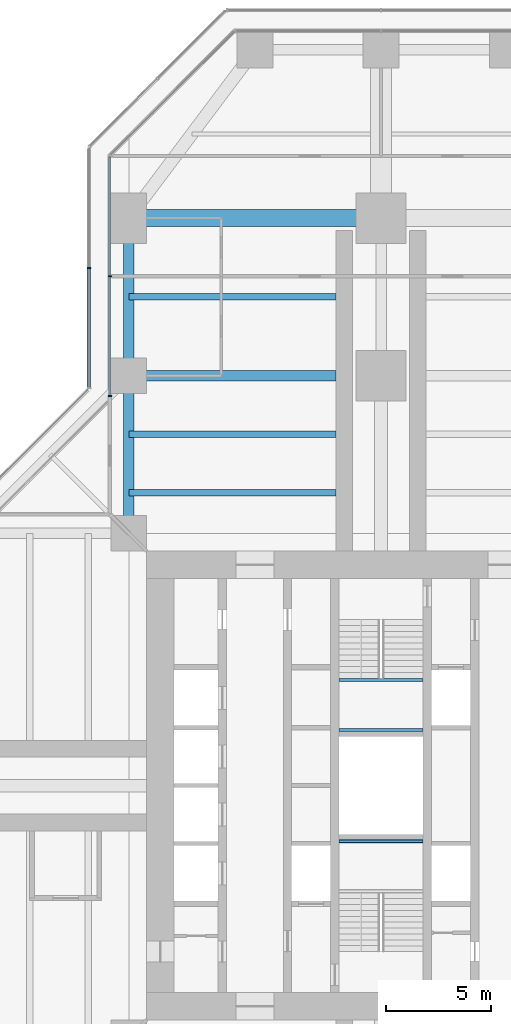
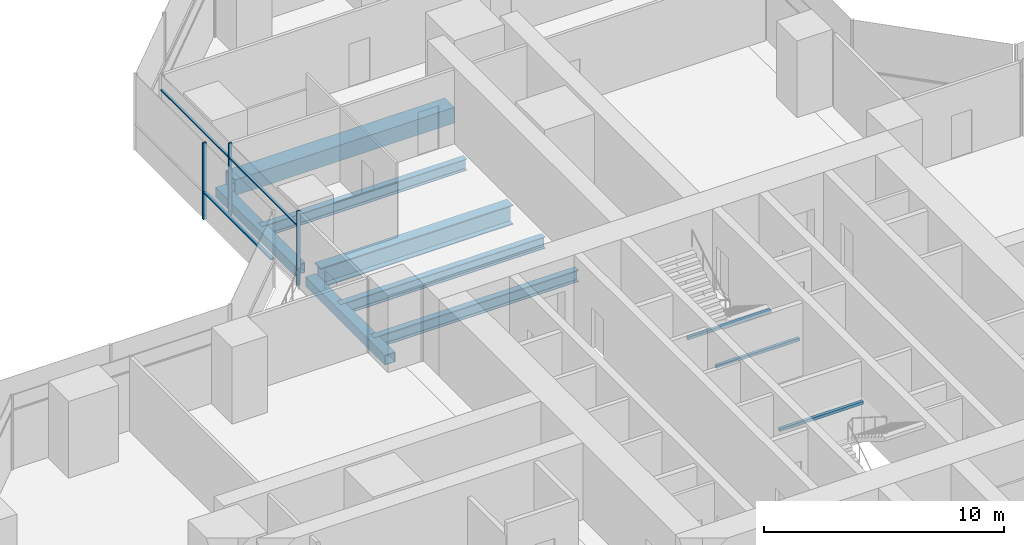
# One storey, part 9 of 22: 10 beams, 6 members, 2 elements without a shape of their own.
"""IFC4 building model written with IfcOpenShell, lengths in metres."""

from ifc_helpers import new_model, si_unit, direction, frame, origin, origin_2d, place, context, subcontext, project, spatial, rectangle, hollow_rectangle, i_section, extrude, material, material_profile, profile_set, type_object, element, aggregate, save


model = new_model("IFC4")

# Units and contexts
model_context = context("Model", 3, precision=1e-05, world=origin(), true_north=direction((0.0, 1.0)))
body_context = subcontext(model_context, "Body", "Model", "MODEL_VIEW")
ifc_project = project(units=[si_unit("LENGTHUNIT", "METRE"), si_unit("AREAUNIT", "SQUARE_METRE"), si_unit("VOLUMEUNIT", "CUBIC_METRE"), si_unit("PLANEANGLEUNIT", "RADIAN"), si_unit("MASSUNIT", "GRAM", prefix="KILO")], contexts=[model_context])

# Site, building, storey
site_placement = place(None, origin())
site = spatial("IfcSite", under=ifc_project, at=site_placement, CompositionType="ELEMENT")
building_placement = place(site_placement, origin())
building = spatial("IfcBuilding", under=site, at=building_placement, Name="Mizan Broadcast Tower", CompositionType="ELEMENT")
storey_placement = place(building_placement, frame((0.0, 0.0, 109.800048828125)))
storey = spatial("IfcBuildingStorey", under=building, at=storey_placement, Name="L24", CompositionType="ELEMENT", Elevation=109.800048828125)

# Beams
ifc_material_1 = material(Name="Steel S355", Category="steel")
ifc_material_profile_1 = material_profile(ifc_material_1, hollow_rectangle(XDim=0.5, YDim=0.5, WallThickness=0.030029296875, at=origin_2d()), Name="BOX 500x500x30")
ifc_profile_set_1 = profile_set([ifc_material_profile_1], Name="Steel S355")
beam_type_1 = type_object("IfcBeamType", Name="EDGE BEAM BOX 500x500x30", PredefinedType="SPANDREL", material=ifc_profile_set_1)
for number, where, z_axis, x_axis, name in (
    (1, (-12.0, 12.449951171875, -0.380126953125), (0.0, 1.0, 0.0), (-1.0, 0.0, 0.0), "Edge beam BOX 500x500x30 L24 north arm"),
    (2, (-12.0, 19.949951171875, -0.380126953125), (0.0, 1.0, 0.0), (-1.0, 0.0, 0.0), "Edge beam BOX 500x500x30 L24 north arm"),
):
    element("IfcBeam", number, at=place(storey_placement, frame(where, z_axis=z_axis, x_axis=x_axis)), inside=storey, type_object=beam_type_1, Name=name, PredefinedType="SPANDREL", context=body_context, shape_type="SweptSolid", body=[
        extrude(hollow_rectangle(XDim=0.5, YDim=0.5, WallThickness=0.030029296875, at=origin_2d()), origin(), (0.0, 0.0, 1.0), 6.60009765625),
    ])
ifc_material_2 = material(Name="Steel S460", Category="steel")
ifc_material_profile_2 = material_profile(ifc_material_2, hollow_rectangle(XDim=0.800048828125, YDim=0.800048828125, WallThickness=0.050048828125, at=origin_2d()), Name="BOX 800x800x50")
ifc_profile_set_2 = profile_set([ifc_material_profile_2], Name="Steel S460")
beam_type_2 = type_object("IfcBeamType", Name="GIRDER BOX 800x800x50", PredefinedType="BEAM", material=ifc_profile_set_2)
beam_1_placement = place(storey_placement, frame((-11.280029296875, 27.0, -0.530029296875), z_axis=(1.0, 0.0, 0.0), x_axis=(0.0, 1.0, 0.0)))
element("IfcBeam", 3, at=beam_1_placement, inside=storey, type_object=beam_type_2, Name="Girder BOX 800x800x50 L24 north arm", PredefinedType="BEAM", context=body_context, shape_type="SweptSolid", body=[
    extrude(hollow_rectangle(XDim=0.800048828125, YDim=0.800048828125, WallThickness=0.050048828125, at=origin_2d()), origin(), (0.0, 0.0, 1.0), 10.56005859375),
])
ifc_material_3 = material(Name="Steel S460", Category="steel")
ifc_material_profile_3 = material_profile(ifc_material_3, i_section(OverallWidth=0.5, OverallDepth=1.0, WebThickness=0.02490234375, FlangeThickness=0.050048828125, at=origin_2d()), Name="WPG 1000x500")
ifc_profile_set_3 = profile_set([ifc_material_profile_3], Name="Steel S460")
beam_type_3 = type_object("IfcBeamType", Name="GIRDER WPG 1000x500", PredefinedType="BEAM", material=ifc_profile_set_3)
beam_2_placement = place(storey_placement, frame((-11.408935546875, 19.5, -0.630126953125), z_axis=(1.0, 0.0, 0.0), x_axis=(0.0, 1.0, 0.0)))
element("IfcBeam", 4, at=beam_2_placement, inside=storey, type_object=beam_type_3, Name="Girder WPG 1000x500 L24 north arm", PredefinedType="BEAM", context=body_context, shape_type="SweptSolid", body=[
    extrude(i_section(OverallWidth=0.5, OverallDepth=1.0, WebThickness=0.02490234375, FlangeThickness=0.050048828125, at=origin_2d()), origin(), (0.0, 0.0, 1.0), 9.259033203125),
])

# Curtain wall, members
ifc_material_4 = material(Name="Aluminium framed glazing", Category="aluminium")
curtain_wall_type_1 = type_object("IfcCurtainWallType", Name="INNER SKIN LOW ZONE", PredefinedType="USERDEFINED", material=ifc_material_4)
curtain_wall_1_placement = place(storey_placement, origin())
curtain_wall_1 = element("IfcCurtainWall", 5, at=curtain_wall_1_placement, inside=storey, type_object=curtain_wall_type_1, Name="Inner skin low zone L24 N side", ObjectType="INNER SKIN LOW ZONE", PredefinedType="USERDEFINED")
ifc_material_5 = material(Name="Aluminium, pale anodised", Category="aluminium")
ifc_material_profile_4 = material_profile(ifc_material_5, rectangle(XDim=0.159912109375, YDim=0.06005859375, at=origin_2d()), Name="MULLION 160x60")
ifc_profile_set_4 = profile_set([ifc_material_profile_4], Name="Aluminium, pale anodised")
member_type_1 = type_object("IfcMemberType", Name="INNER SKIN MULLION 60x160", PredefinedType="MULLION", material=ifc_profile_set_4)
member_1_placement = place(storey_placement, frame((-12.89990234375, 24.229248046875, 0.0), z_axis=(0.0, 0.0, 1.0), x_axis=(1.0, 0.0, 0.0)))
member_1 = element("IfcMember", 6, at=member_1_placement, type_object=member_type_1, Name="Inner skin low zone L24 N side mullion 2", PredefinedType="MULLION", context=body_context, shape_type="SweptSolid", body=[
    extrude(rectangle(XDim=0.159912109375, YDim=0.06005859375, at=origin_2d()), origin(), (0.0, 0.0, 1.0), 3.77001953125),
])
member_2_placement = place(storey_placement, frame((-12.89990234375, 18.530029296875, 0.0), z_axis=(0.0, 0.0, 1.0), x_axis=(1.0, 0.0, 0.0)))
member_2 = element("IfcMember", 7, at=member_2_placement, type_object=member_type_1, Name="Inner skin low zone L24 N side mullion 3", PredefinedType="MULLION", context=body_context, shape_type="SweptSolid", body=[
    extrude(rectangle(XDim=0.159912109375, YDim=0.06005859375, at=origin_2d()), origin(), (0.0, 0.0, 1.0), 3.77001953125),
])
ifc_material_6 = material(Name="Aluminium, pale anodised", Category="aluminium")
ifc_material_profile_5 = material_profile(ifc_material_6, rectangle(XDim=0.1201171875, YDim=0.06005859375, at=origin_2d()), Name="TRANSOM 120x60")
ifc_profile_set_5 = profile_set([ifc_material_profile_5], Name="Aluminium, pale anodised")
member_type_2 = type_object("IfcMemberType", Name="INNER SKIN TRANSOM 60x120", PredefinedType="USERDEFINED", material=ifc_profile_set_5)
member_3_placement = place(storey_placement, frame((-12.89990234375, 29.898681640625, 3.030029296875), z_axis=(0.0, -1.0, 0.0), x_axis=(1.0, 0.0, 0.0)))
member_3 = element("IfcMember", 8, at=member_3_placement, type_object=member_type_2, Name="Inner skin low zone L24 N side transom 1.1", ObjectType="TRANSOM", PredefinedType="USERDEFINED", context=body_context, shape_type="SweptSolid", body=[
    extrude(rectangle(XDim=0.1201171875, YDim=0.06005859375, at=origin_2d()), origin(), (0.0, 0.0, 1.0), 5.639404296875),
])
member_4_placement = place(storey_placement, frame((-12.89990234375, 24.19921875, 3.030029296875), z_axis=(0.0, -1.0, 0.0), x_axis=(1.0, 0.0, 0.0)))
member_4 = element("IfcMember", 9, at=member_4_placement, type_object=member_type_2, Name="Inner skin low zone L24 N side transom 2.1", ObjectType="TRANSOM", PredefinedType="USERDEFINED", context=body_context, shape_type="SweptSolid", body=[
    extrude(rectangle(XDim=0.1201171875, YDim=0.06005859375, at=origin_2d()), origin(), (0.0, 0.0, 1.0), 5.63916015625),
])
aggregate(curtain_wall_1, [member_1, member_2, member_3, member_4])

# Beams
ifc_material_7 = material(Name="Steel S355", Category="steel")
ifc_material_profile_6 = material_profile(ifc_material_7, hollow_rectangle(XDim=0.14990234375, YDim=0.14990234375, WallThickness=0.008056640625, InnerFilletRadius=0.008056640625, OuterFilletRadius=0.011962890625, at=origin_2d()), Name="SHS 150x150x8")
ifc_profile_set_6 = profile_set([ifc_material_profile_6], Name="Steel S355")
beam_type_4 = type_object("IfcBeamType", Name="LANDING TRIMMER SHS 150x150x8", PredefinedType="BEAM", material=ifc_profile_set_6)
for number, where, z_axis, x_axis, name in (
    (10, (-2.0, -2.64990234375, 1.675048828125), (1.0, 0.0, 0.0), (0.0, 1.0, 0.0), "Stair A landing trimmer L24"),
    (11, (2.0, 5.02490234375, 1.675048828125), (-1.0, 0.0, 0.0), (0.0, -1.0, 0.0), "Stair B landing trimmer L24"),
    (12, (2.0, 2.64990234375, 1.675048828125), (-1.0, 0.0, 0.0), (0.0, -1.0, 0.0), "Stair B landing trimmer L24"),
):
    element("IfcBeam", number, at=place(storey_placement, frame(where, z_axis=z_axis, x_axis=x_axis)), inside=storey, type_object=beam_type_4, Name=name, PredefinedType="BEAM", context=body_context, shape_type="SweptSolid", body=[
        extrude(hollow_rectangle(XDim=0.14990234375, YDim=0.14990234375, WallThickness=0.008056640625, InnerFilletRadius=0.008056640625, OuterFilletRadius=0.011962890625, at=origin_2d()), origin(), (0.0, 0.0, 1.0), 4.0),
    ])

# Curtain wall, members
ifc_material_8 = material(Name="Aluminium framed glazing", Category="aluminium")
curtain_wall_type_2 = type_object("IfcCurtainWallType", Name="OUTER SKIN", PredefinedType="USERDEFINED", material=ifc_material_8)
curtain_wall_2_placement = place(storey_placement, origin())
curtain_wall_2 = element("IfcCurtainWall", 13, at=curtain_wall_2_placement, inside=storey, type_object=curtain_wall_type_2, Name="Outer skin L24 N side", ObjectType="OUTER SKIN", PredefinedType="USERDEFINED")
ifc_material_9 = material(Name="Aluminium, pale anodised", Category="aluminium")
ifc_material_profile_7 = material_profile(ifc_material_9, rectangle(XDim=0.159912109375, YDim=0.080078125, at=origin_2d()), Name="MULLION 160x80")
ifc_profile_set_7 = profile_set([ifc_material_profile_7], Name="Aluminium, pale anodised")
member_type_3 = type_object("IfcMemberType", Name="OUTER SKIN MULLION 80x160", PredefinedType="MULLION", material=ifc_profile_set_7)
member_5_placement = place(storey_placement, frame((-13.89990234375, 24.622802734375, 0.0), z_axis=(0.0, 0.0, 1.0), x_axis=(1.0, 0.0, 0.0)))
member_5 = element("IfcMember", 14, at=member_5_placement, type_object=member_type_3, Name="Outer skin L24 N side mullion 2", PredefinedType="MULLION", context=body_context, shape_type="SweptSolid", body=[
    extrude(rectangle(XDim=0.159912109375, YDim=0.080078125, at=origin_2d()), origin(), (0.0, 0.0, 1.0), 3.89990234375),
])
ifc_material_10 = material(Name="Aluminium, pale anodised", Category="aluminium")
ifc_material_profile_8 = material_profile(ifc_material_10, rectangle(XDim=0.159912109375, YDim=0.06005859375, at=origin_2d()), Name="TRANSOM 160x60")
ifc_profile_set_8 = profile_set([ifc_material_profile_8], Name="Aluminium, pale anodised")
member_type_4 = type_object("IfcMemberType", Name="OUTER SKIN TRANSOM 60x160", PredefinedType="USERDEFINED", material=ifc_profile_set_8)
member_6_placement = place(storey_placement, frame((-13.89990234375, 24.582763671875, 1.39990234375), z_axis=(0.0, -1.0, 0.0), x_axis=(1.0, 0.0, 0.0)))
member_6 = element("IfcMember", 15, at=member_6_placement, type_object=member_type_4, Name="Outer skin L24 N side transom 2.1", ObjectType="TRANSOM", PredefinedType="USERDEFINED", context=body_context, shape_type="SweptSolid", body=[
    extrude(rectangle(XDim=0.159912109375, YDim=0.06005859375, at=origin_2d()), origin(), (0.0, 0.0, 1.0), 5.6298828125),
])
aggregate(curtain_wall_2, [member_5, member_6])

# Beams
ifc_material_11 = material(Name="Steel S355", Category="steel")
ifc_material_profile_9 = material_profile(ifc_material_11, i_section(OverallWidth=0.300048828125, OverallDepth=0.590087890625, WebThickness=0.012939453125, FlangeThickness=0.02490234375, FilletRadius=0.027099609375, at=origin_2d()), Name="HEA 600")
ifc_profile_set_9 = profile_set([ifc_material_profile_9], Name="Steel S355")
beam_type_5 = type_object("IfcBeamType", Name="SECONDARY BEAM HEA 600", PredefinedType="JOIST", material=ifc_profile_set_9)
for number, where, z_axis, x_axis, name in (
    (16, (-12.0, 13.933349609375, -0.425048828125), (1.0, 0.0, 0.0), (0.0, 1.0, 0.0), "Secondary beam HEA 600 L24 north arm"),
    (17, (-12.0, 16.716552734375, -0.425048828125), (1.0, 0.0, 0.0), (0.0, 1.0, 0.0), "Secondary beam HEA 600 L24 north arm"),
    (18, (-12.0, 23.25, -0.425048828125), (1.0, 0.0, 0.0), (0.0, 1.0, 0.0), "Secondary beam HEA 600 L24 north arm"),
):
    element("IfcBeam", number, at=place(storey_placement, frame(where, z_axis=z_axis, x_axis=x_axis)), inside=storey, type_object=beam_type_5, Name=name, PredefinedType="JOIST", context=body_context, shape_type="SweptSolid", body=[
        extrude(i_section(OverallWidth=0.300048828125, OverallDepth=0.590087890625, WebThickness=0.012939453125, FlangeThickness=0.02490234375, FilletRadius=0.027099609375, at=origin_2d()), origin(), (0.0, 0.0, 1.0), 9.85009765625),
    ])

save(model, "model.ifc")
